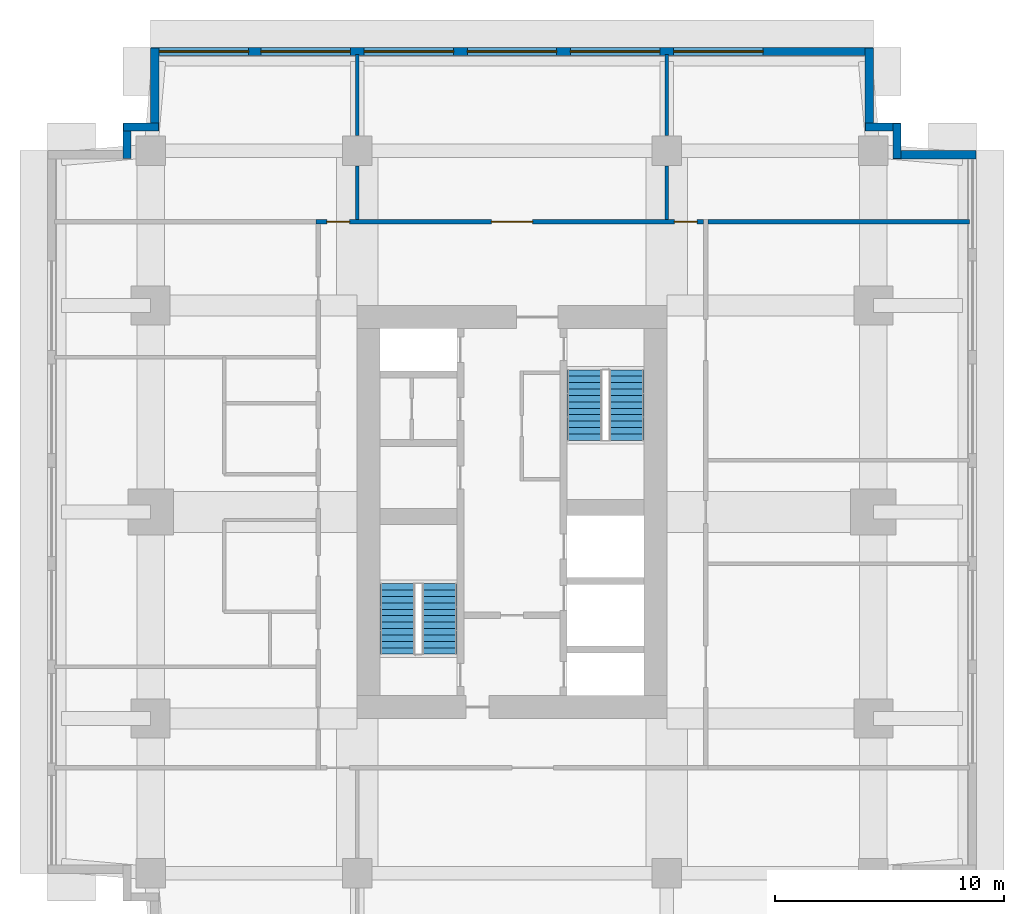
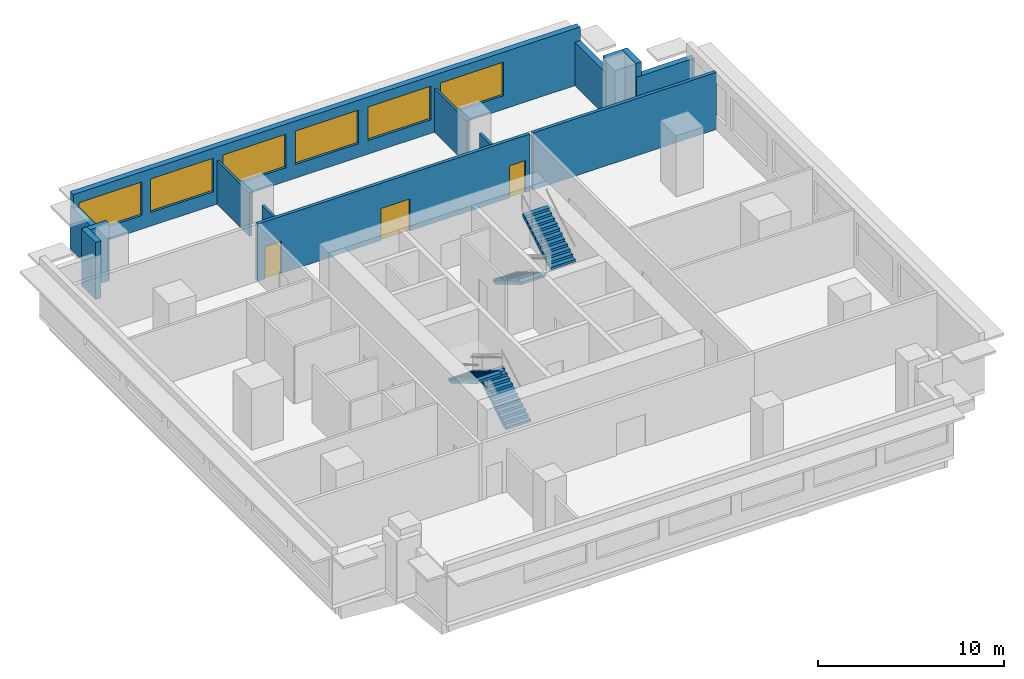
# One storey, part 4 of 5: 14 walls, 6 windows, 4 stair flights, 3 doors, 9 openings, 2 elements without a shape of their own.
"""IFC4 building model written with IfcOpenShell, lengths in metres."""

from ifc_helpers import new_model, si_unit, direction, frame, frame_2d, origin, place, context, subcontext, project, spatial, polyline, rectangle, outline, extrude, material, layer, layer_set, type_object, element, fill, aggregate, save


model = new_model("IFC4")

# Units and contexts
model_context = context("Model", 3, precision=1e-05, world=origin(), true_north=direction((0.0, 1.0)))
body_context = subcontext(model_context, "Body", "Model", "MODEL_VIEW")
ifc_project = project(units=[si_unit("LENGTHUNIT", "METRE"), si_unit("AREAUNIT", "SQUARE_METRE"), si_unit("VOLUMEUNIT", "CUBIC_METRE"), si_unit("PLANEANGLEUNIT", "RADIAN"), si_unit("MASSUNIT", "GRAM", prefix="KILO")], contexts=[model_context])

# Site, building, storey
site_placement = place(None, origin())
site = spatial("IfcSite", under=ifc_project, at=site_placement, CompositionType="ELEMENT")
building_placement = place(site_placement, origin())
building = spatial("IfcBuilding", under=site, at=building_placement, Name="Namib Vertical Campus", CompositionType="ELEMENT")
storey_placement = place(building_placement, frame((0.0, 0.0, 281.0)))
storey = spatial("IfcBuildingStorey", under=building, at=storey_placement, Name="L66", CompositionType="ELEMENT", Elevation=281.0)

# Wall, openings, doors
ifc_material_1 = material(Name="Concrete masonry", Category="masonry")
ifc_layer_1 = layer(ifc_material_1, 0.199951171875)
ifc_layer_set_1 = layer_set([ifc_layer_1], Name="Corridor wall 200")
wall_type_1 = type_object("IfcWallType", Name="Corridor wall 200", PredefinedType="SOLIDWALL", material=ifc_layer_set_1)
wall_1_placement = place(storey_placement, frame((28.60009765625, 32.89990234375, 0.0), z_axis=(0.0, 0.0, 1.0), x_axis=(-1.0, 0.0, 0.0)))
wall_1 = element("IfcWall", 1, at=wall_1_placement, inside=storey, type_object=wall_type_1, Name="Corridor wall A L66 CN", PredefinedType="SOLIDWALL", context=body_context, shape_type="SweptSolid", body=[
    extrude(rectangle(XDim=16.900146484375, YDim=0.199951171875, at=frame_2d((8.4501953125, 0.0))), origin(), (0.0, 0.0, 1.0), 3.75),
])
opening_1_placement = place(wall_1_placement, frame((15.425048828125, 0.0, 0.0)))
opening_1 = element("IfcOpeningElement", 2, at=opening_1_placement, cuts=wall_1, Name="Opening CD1", PredefinedType="OPENING", context=body_context, shape_type="SweptSolid", body=[
    extrude(rectangle(XDim=1.0, YDim=2.10009765625, at=frame_2d((0.5, 1.050048828125))), frame((0.0, 0.10986328125, 0.0), z_axis=(0.0, -1.0, 0.0), x_axis=(1.0, 0.0, 0.0)), (0.0, 0.0, 1.0), 0.219970703125),
])
opening_2_placement = place(wall_1_placement, frame((7.449951171875, 0.0, 0.0)))
opening_2 = element("IfcOpeningElement", 3, at=opening_2_placement, cuts=wall_1, Name="Opening CD2", PredefinedType="OPENING", context=body_context, shape_type="SweptSolid", body=[
    extrude(rectangle(XDim=1.800048828125, YDim=2.10009765625, at=frame_2d((0.89990234375, 1.050048828125))), frame((0.0, 0.10986328125, 0.0), z_axis=(0.0, -1.0, 0.0), x_axis=(1.0, 0.0, 0.0)), (0.0, 0.0, 1.0), 0.219970703125),
])
opening_3_placement = place(wall_1_placement, frame((0.27490234375, 0.0, 0.0)))
opening_3 = element("IfcOpeningElement", 4, at=opening_3_placement, cuts=wall_1, Name="Opening CD1", PredefinedType="OPENING", context=body_context, shape_type="SweptSolid", body=[
    extrude(rectangle(XDim=1.0, YDim=2.10009765625, at=frame_2d((0.5, 1.050048828125))), frame((0.0, 0.10986328125, 0.0), z_axis=(0.0, -1.0, 0.0), x_axis=(1.0, 0.0, 0.0)), (0.0, 0.0, 1.0), 0.219970703125),
])
ifc_material_2 = material(Name="Timber fire door leaf", Category="wood")
door_type_1 = type_object("IfcDoorType", Name="Corridor door 1000x2100 20 min", OperationType="SINGLE_SWING_LEFT", PredefinedType="DOOR", material=ifc_material_2)
door_1_placement = place(opening_1_placement, frame((1.0, 0.0, 0.0), z_axis=(0.0, 0.0, 1.0), x_axis=(-1.0, 0.0, 0.0)))
door_1 = element("IfcDoor", 5, at=door_1_placement, inside=storey, type_object=door_type_1, Name="Door CD1 A66-06", OperationType="SINGLE_SWING_RIGHT", OverallHeight=2.10009765625, OverallWidth=1.0, PredefinedType="DOOR", context=body_context, shape_type="SweptSolid", body=[
    extrude(rectangle(XDim=1.0, YDim=2.10009765625, at=frame_2d((0.5, 1.050048828125))), frame((0.0, 0.02490234375, 0.0), z_axis=(0.0, -1.0, 0.0), x_axis=(1.0, 0.0, 0.0)), (0.0, 0.0, 1.0), 0.050048828125),
])
fill(opening_1, door_1)
door_2_placement = place(opening_3_placement, frame((1.0, 0.0, 0.0), z_axis=(0.0, 0.0, 1.0), x_axis=(-1.0, 0.0, 0.0)))
door_2 = element("IfcDoor", 6, at=door_2_placement, inside=storey, type_object=door_type_1, Name="Door CD1 A66-08", OperationType="SINGLE_SWING_LEFT", OverallHeight=2.10009765625, OverallWidth=1.0, PredefinedType="DOOR", context=body_context, shape_type="SweptSolid", body=[
    extrude(rectangle(XDim=1.0, YDim=2.10009765625, at=frame_2d((0.5, 1.050048828125))), frame((0.0, 0.02490234375, 0.0), z_axis=(0.0, -1.0, 0.0), x_axis=(1.0, 0.0, 0.0)), (0.0, 0.0, 1.0), 0.050048828125),
])
fill(opening_3, door_2)
ifc_material_3 = material(Name="Timber fire door leaf", Category="wood")
door_type_2 = type_object("IfcDoorType", Name="Corridor door double 1800x2100 20 min", OperationType="DOUBLE_DOOR_SINGLE_SWING", PredefinedType="DOOR", material=ifc_material_3)
door_3_placement = place(opening_2_placement, frame((1.800048828125, 0.0, 0.0), z_axis=(0.0, 0.0, 1.0), x_axis=(-1.0, 0.0, 0.0)))
door_3 = element("IfcDoor", 7, at=door_3_placement, inside=storey, type_object=door_type_2, Name="Door CD2 A66-07", OperationType="DOUBLE_DOOR_SINGLE_SWING", OverallHeight=2.10009765625, OverallWidth=1.800048828125, PredefinedType="DOOR", context=body_context, shape_type="SweptSolid", body=[
    extrude(rectangle(XDim=1.800048828125, YDim=2.10009765625, at=frame_2d((0.89990234375, 1.050048828125))), frame((0.0, 0.02490234375, 0.0), z_axis=(0.0, -1.0, 0.0), x_axis=(1.0, 0.0, 0.0)), (0.0, 0.0, 1.0), 0.050048828125),
])
fill(opening_2, door_3)

# Walls
wall_2_placement = place(storey_placement, frame((28.800048828125, 32.89990234375, 0.0), z_axis=(0.0, 0.0, 1.0), x_axis=(1.0, 0.0, 0.0)))
element("IfcWall", 8, at=wall_2_placement, inside=storey, type_object=wall_type_1, Name="Partition A L66 BNE", PredefinedType="SOLIDWALL", context=body_context, shape_type="SweptSolid", body=[
    extrude(rectangle(XDim=11.39990234375, YDim=0.199951171875, at=frame_2d((5.699951171875, 0.0))), origin(), (0.0, 0.0, 1.0), 3.75),
])
ifc_material_4 = material(Name="Concrete C40/50", Category="concrete")
ifc_layer_2 = layer(ifc_material_4, 0.35009765625)
ifc_layer_set_2 = layer_set([ifc_layer_2], Name="Concrete C40/50")
wall_type_2 = type_object("IfcWallType", Name="External wall 350 bush-hammered concrete", PredefinedType="STANDARD", material=ifc_layer_set_2)
wall_3_placement = place(storey_placement, frame((40.47998046875, 35.824951171875, 0.0), z_axis=(0.0, 0.0, 1.0), x_axis=(-1.0, 0.0, 0.0)))
element("IfcWall", 9, at=wall_3_placement, inside=storey, type_object=wall_type_2, Name="External wall L66 F07", PredefinedType="STANDARD", context=body_context, shape_type="SweptSolid", body=[
    extrude(rectangle(XDim=3.60986328125, YDim=0.35009765625, at=frame_2d((1.804931640625, 0.0))), origin(), (0.0, 0.0, 1.0), 2.85009765625),
])
for number, where, z_axis, x_axis, name in (
    (10, (37.02490234375, 35.669921875, 0.0), (0.0, 0.0, 1.0), (0.0, 1.0, 0.0), "External wall L66 F08"),
    (11, (37.179931640625, 37.02490234375, 0.0), (0.0, 0.0, 1.0), (-1.0, 0.0, 0.0), "External wall L66 F09"),
):
    element("IfcWall", number, at=place(storey_placement, frame(where, z_axis=z_axis, x_axis=x_axis)), inside=storey, type_object=wall_type_2, Name=name, PredefinedType="STANDARD", context=body_context, shape_type="SweptSolid", body=[
        extrude(rectangle(XDim=1.510009765625, YDim=0.35009765625, at=frame_2d((0.7548828125, 0.0))), origin(), (0.0, 0.0, 1.0), 3.75),
    ])
wall_4_placement = place(storey_placement, frame((35.824951171875, 36.8701171875, 0.0), z_axis=(0.0, 0.0, 1.0), x_axis=(0.0, 1.0, 0.0)))
element("IfcWall", 12, at=wall_4_placement, inside=storey, type_object=wall_type_2, Name="External wall L66 F10", PredefinedType="STANDARD", context=body_context, shape_type="SweptSolid", body=[
    extrude(rectangle(XDim=3.60986328125, YDim=0.35009765625, at=frame_2d((1.804931640625, 0.0))), origin(), (0.0, 0.0, 1.0), 2.85009765625),
])

# Wall, openings, windows
wall_5_placement = place(storey_placement, frame((35.97998046875, 40.324951171875, 0.0), z_axis=(0.0, 0.0, 1.0), x_axis=(-1.0, 0.0, 0.0)))
wall_5 = element("IfcWall", 13, at=wall_5_placement, inside=storey, type_object=wall_type_2, Name="External wall L66 F11", PredefinedType="STANDARD", context=body_context, shape_type="SweptSolid", body=[
    extrude(rectangle(XDim=31.4599609375, YDim=0.35009765625, at=frame_2d((15.72998046875, 0.0))), origin(), (0.0, 0.0, 1.0), 3.75),
])
opening_4_placement = place(wall_5_placement, frame((27.2099609375, 0.0, 0.89990234375)))
opening_4 = element("IfcOpeningElement", 14, at=opening_4_placement, cuts=wall_5, Name="Opening W1", PredefinedType="OPENING", context=body_context, shape_type="SweptSolid", body=[
    extrude(rectangle(XDim=3.89990234375, YDim=2.199951171875, at=frame_2d((1.949951171875, 1.10009765625))), frame((0.0, 0.18505859375, 0.0), z_axis=(0.0, -1.0, 0.0), x_axis=(1.0, 0.0, 0.0)), (0.0, 0.0, 1.0), 0.3701171875),
])
opening_5_placement = place(wall_5_placement, frame((22.780029296875, 0.0, 0.89990234375)))
opening_5 = element("IfcOpeningElement", 15, at=opening_5_placement, cuts=wall_5, Name="Opening W1", PredefinedType="OPENING", context=body_context, shape_type="SweptSolid", body=[
    extrude(rectangle(XDim=3.89990234375, YDim=2.199951171875, at=frame_2d((1.949951171875, 1.10009765625))), frame((0.0, 0.18505859375, 0.0), z_axis=(0.0, -1.0, 0.0), x_axis=(1.0, 0.0, 0.0)), (0.0, 0.0, 1.0), 0.3701171875),
])
opening_6_placement = place(wall_5_placement, frame((18.280029296875, 0.0, 0.89990234375)))
opening_6 = element("IfcOpeningElement", 16, at=opening_6_placement, cuts=wall_5, Name="Opening W1", PredefinedType="OPENING", context=body_context, shape_type="SweptSolid", body=[
    extrude(rectangle(XDim=3.89990234375, YDim=2.199951171875, at=frame_2d((1.949951171875, 1.10009765625))), frame((0.0, 0.18505859375, 0.0), z_axis=(0.0, -1.0, 0.0), x_axis=(1.0, 0.0, 0.0)), (0.0, 0.0, 1.0), 0.3701171875),
])
opening_7_placement = place(wall_5_placement, frame((13.780029296875, 0.0, 0.89990234375)))
opening_7 = element("IfcOpeningElement", 17, at=opening_7_placement, cuts=wall_5, Name="Opening W1", PredefinedType="OPENING", context=body_context, shape_type="SweptSolid", body=[
    extrude(rectangle(XDim=3.89990234375, YDim=2.199951171875, at=frame_2d((1.949951171875, 1.10009765625))), frame((0.0, 0.18505859375, 0.0), z_axis=(0.0, -1.0, 0.0), x_axis=(1.0, 0.0, 0.0)), (0.0, 0.0, 1.0), 0.3701171875),
])
opening_8_placement = place(wall_5_placement, frame((9.280029296875, 0.0, 0.89990234375)))
opening_8 = element("IfcOpeningElement", 18, at=opening_8_placement, cuts=wall_5, Name="Opening W1", PredefinedType="OPENING", context=body_context, shape_type="SweptSolid", body=[
    extrude(rectangle(XDim=3.89990234375, YDim=2.199951171875, at=frame_2d((1.949951171875, 1.10009765625))), frame((0.0, 0.18505859375, 0.0), z_axis=(0.0, -1.0, 0.0), x_axis=(1.0, 0.0, 0.0)), (0.0, 0.0, 1.0), 0.3701171875),
])
opening_9_placement = place(wall_5_placement, frame((4.780029296875, 0.0, 0.89990234375)))
opening_9 = element("IfcOpeningElement", 19, at=opening_9_placement, cuts=wall_5, Name="Opening W1", PredefinedType="OPENING", context=body_context, shape_type="SweptSolid", body=[
    extrude(rectangle(XDim=3.89990234375, YDim=2.199951171875, at=frame_2d((1.949951171875, 1.10009765625))), frame((0.0, 0.18505859375, 0.0), z_axis=(0.0, -1.0, 0.0), x_axis=(1.0, 0.0, 0.0)), (0.0, 0.0, 1.0), 0.3701171875),
])
ifc_material_5 = material(Name="Dark tinted glass in black aluminium frame", Category="aluminium")
window_type = type_object("IfcWindowType", Name="Ribbon window 3900x2200", PartitioningType="SINGLE_PANEL", PredefinedType="WINDOW", material=ifc_material_5)
window_1_placement = place(opening_4_placement, origin())
window_1 = element("IfcWindow", 20, at=window_1_placement, inside=storey, type_object=window_type, Name="Window W1 L66 F11-1", OverallHeight=2.199951171875, OverallWidth=3.89990234375, PartitioningType="SINGLE_PANEL", PredefinedType="WINDOW", context=body_context, shape_type="SweptSolid", body=[
    extrude(rectangle(XDim=3.89990234375, YDim=2.199951171875, at=frame_2d((1.949951171875, 1.10009765625))), frame((0.0, 0.030029296875, 0.0), z_axis=(0.0, -1.0, 0.0), x_axis=(1.0, 0.0, 0.0)), (0.0, 0.0, 1.0), 0.06005859375),
])
fill(opening_4, window_1)
window_2_placement = place(opening_5_placement, origin())
window_2 = element("IfcWindow", 21, at=window_2_placement, inside=storey, type_object=window_type, Name="Window W1 L66 F11-2", OverallHeight=2.199951171875, OverallWidth=3.89990234375, PartitioningType="SINGLE_PANEL", PredefinedType="WINDOW", context=body_context, shape_type="SweptSolid", body=[
    extrude(rectangle(XDim=3.89990234375, YDim=2.199951171875, at=frame_2d((1.949951171875, 1.10009765625))), frame((0.0, 0.030029296875, 0.0), z_axis=(0.0, -1.0, 0.0), x_axis=(1.0, 0.0, 0.0)), (0.0, 0.0, 1.0), 0.06005859375),
])
fill(opening_5, window_2)
window_3_placement = place(opening_6_placement, origin())
window_3 = element("IfcWindow", 22, at=window_3_placement, inside=storey, type_object=window_type, Name="Window W1 L66 F11-3", OverallHeight=2.199951171875, OverallWidth=3.89990234375, PartitioningType="SINGLE_PANEL", PredefinedType="WINDOW", context=body_context, shape_type="SweptSolid", body=[
    extrude(rectangle(XDim=3.89990234375, YDim=2.199951171875, at=frame_2d((1.949951171875, 1.10009765625))), frame((0.0, 0.030029296875, 0.0), z_axis=(0.0, -1.0, 0.0), x_axis=(1.0, 0.0, 0.0)), (0.0, 0.0, 1.0), 0.06005859375),
])
fill(opening_6, window_3)
window_4_placement = place(opening_7_placement, origin())
window_4 = element("IfcWindow", 23, at=window_4_placement, inside=storey, type_object=window_type, Name="Window W1 L66 F11-4", OverallHeight=2.199951171875, OverallWidth=3.89990234375, PartitioningType="SINGLE_PANEL", PredefinedType="WINDOW", context=body_context, shape_type="SweptSolid", body=[
    extrude(rectangle(XDim=3.89990234375, YDim=2.199951171875, at=frame_2d((1.949951171875, 1.10009765625))), frame((0.0, 0.030029296875, 0.0), z_axis=(0.0, -1.0, 0.0), x_axis=(1.0, 0.0, 0.0)), (0.0, 0.0, 1.0), 0.06005859375),
])
fill(opening_7, window_4)
window_5_placement = place(opening_8_placement, origin())
window_5 = element("IfcWindow", 24, at=window_5_placement, inside=storey, type_object=window_type, Name="Window W1 L66 F11-5", OverallHeight=2.199951171875, OverallWidth=3.89990234375, PartitioningType="SINGLE_PANEL", PredefinedType="WINDOW", context=body_context, shape_type="SweptSolid", body=[
    extrude(rectangle(XDim=3.89990234375, YDim=2.199951171875, at=frame_2d((1.949951171875, 1.10009765625))), frame((0.0, 0.030029296875, 0.0), z_axis=(0.0, -1.0, 0.0), x_axis=(1.0, 0.0, 0.0)), (0.0, 0.0, 1.0), 0.06005859375),
])
fill(opening_8, window_5)
window_6_placement = place(opening_9_placement, origin())
window_6 = element("IfcWindow", 25, at=window_6_placement, inside=storey, type_object=window_type, Name="Window W1 L66 F11-6", OverallHeight=2.199951171875, OverallWidth=3.89990234375, PartitioningType="SINGLE_PANEL", PredefinedType="WINDOW", context=body_context, shape_type="SweptSolid", body=[
    extrude(rectangle(XDim=3.89990234375, YDim=2.199951171875, at=frame_2d((1.949951171875, 1.10009765625))), frame((0.0, 0.030029296875, 0.0), z_axis=(0.0, -1.0, 0.0), x_axis=(1.0, 0.0, 0.0)), (0.0, 0.0, 1.0), 0.06005859375),
])
fill(opening_9, window_6)

# Walls
wall_6_placement = place(storey_placement, frame((4.675048828125, 40.47998046875, 0.0), z_axis=(0.0, 0.0, 1.0), x_axis=(0.0, -1.0, 0.0)))
element("IfcWall", 26, at=wall_6_placement, inside=storey, type_object=wall_type_2, Name="External wall L66 F12", PredefinedType="STANDARD", context=body_context, shape_type="SweptSolid", body=[
    extrude(rectangle(XDim=3.60986328125, YDim=0.35009765625, at=frame_2d((1.804931640625, 0.0))), origin(), (0.0, 0.0, 1.0), 2.85009765625),
])
for number, where, z_axis, x_axis, name in (
    (27, (4.830078125, 37.02490234375, 0.0), (0.0, 0.0, 1.0), (-1.0, 0.0, 0.0), "External wall L66 F13"),
    (28, (3.47509765625, 37.179931640625, 0.0), (0.0, 0.0, 1.0), (0.0, -1.0, 0.0), "External wall L66 F14"),
):
    element("IfcWall", number, at=place(storey_placement, frame(where, z_axis=z_axis, x_axis=x_axis)), inside=storey, type_object=wall_type_2, Name=name, PredefinedType="STANDARD", context=body_context, shape_type="SweptSolid", body=[
        extrude(rectangle(XDim=1.510009765625, YDim=0.35009765625, at=frame_2d((0.7548828125, 0.0))), origin(), (0.0, 0.0, 1.0), 3.75),
    ])
ifc_material_6 = material(Name="Gypsum board on steel studs", Category="steel")
ifc_layer_3 = layer(ifc_material_6, 0.14990234375)
ifc_layer_set_3 = layer_set([ifc_layer_3], Name="Gypsum board on steel studs")
wall_type_3 = type_object("IfcWallType", Name="Partition 150", PredefinedType="PARTITIONING", material=ifc_layer_set_3)
wall_7_placement = place(storey_placement, frame((13.5, 33.0, 0.0), z_axis=(0.0, 0.0, 1.0), x_axis=(0.0, 1.0, 0.0)))
element("IfcWall", 29, at=wall_7_placement, inside=storey, type_object=wall_type_3, Name="Partition A L66 PN1", PredefinedType="PARTITIONING", context=body_context, shape_type="SweptSolid", body=[
    extrude(rectangle(XDim=2.330078125, YDim=0.14990234375, at=frame_2d((1.1650390625, 0.0))), origin(), (0.0, 0.0, 1.0), 2.85009765625),
])
wall_8_placement = place(storey_placement, frame((13.5, 36.669921875, 0.0), z_axis=(0.0, 0.0, 1.0), x_axis=(0.0, 1.0, 0.0)))
element("IfcWall", 30, at=wall_8_placement, inside=storey, type_object=wall_type_3, Name="Partition A L66 PN1", PredefinedType="PARTITIONING", context=body_context, shape_type="SweptSolid", body=[
    extrude(rectangle(XDim=3.530029296875, YDim=0.14990234375, at=frame_2d((1.76513671875, 0.0))), origin(), (0.0, 0.0, 1.0), 2.85009765625),
])
wall_9_placement = place(storey_placement, frame((27.0, 33.0, 0.0), z_axis=(0.0, 0.0, 1.0), x_axis=(0.0, 1.0, 0.0)))
element("IfcWall", 31, at=wall_9_placement, inside=storey, type_object=wall_type_3, Name="Partition A L66 PN2", PredefinedType="PARTITIONING", context=body_context, shape_type="SweptSolid", body=[
    extrude(rectangle(XDim=2.330078125, YDim=0.14990234375, at=frame_2d((1.1650390625, 0.0))), origin(), (0.0, 0.0, 1.0), 2.85009765625),
])
wall_10_placement = place(storey_placement, frame((27.0, 36.669921875, 0.0), z_axis=(0.0, 0.0, 1.0), x_axis=(0.0, 1.0, 0.0)))
element("IfcWall", 32, at=wall_10_placement, inside=storey, type_object=wall_type_3, Name="Partition A L66 PN2", PredefinedType="PARTITIONING", context=body_context, shape_type="SweptSolid", body=[
    extrude(rectangle(XDim=3.530029296875, YDim=0.14990234375, at=frame_2d((1.76513671875, 0.0))), origin(), (0.0, 0.0, 1.0), 2.85009765625),
])

# Stair, stair flights
ifc_material_7 = material(Name="Concrete C40/50 precast", Category="concrete")
stair_type = type_object("IfcStairType", Name="Exit stair 4000 rise 24 risers 3350 wide", PredefinedType="HALF_TURN_STAIR", material=ifc_material_7)
stair_1_placement = place(storey_placement, origin())
stair_1 = element("IfcStair", 33, at=stair_1_placement, inside=storey, type_object=stair_type, Name="Exit stair A-S1 L66", PredefinedType="HALF_TURN_STAIR")
ifc_material_8 = material(Name="Concrete C40/50 precast", Category="concrete")
stair_flight_type = type_object("IfcStairFlightType", Name="Stair flight 12 risers 167 1525 wide", PredefinedType="STRAIGHT", material=ifc_material_8)
stair_flight_1_placement = place(storey_placement, frame((17.08740234375, 14.050048828125, 0.0), z_axis=(0.0, 0.0, 1.0), x_axis=(0.0, 1.0, 0.0)))
stair_flight_1 = element("IfcStairFlight", 34, at=stair_flight_1_placement, type_object=stair_flight_type, Name="A-S1 flight 1", NumberOfRisers=12, NumberOfTreads=11, PredefinedType="STRAIGHT", RiserHeight=0.166666667, TreadLength=0.28, context=body_context, shape_type="SweptSolid", body=[
    extrude(outline(polyline([(0.0, 0.0), (0.0, 0.166748046875), (0.280029296875, 0.166748046875), (0.280029296875, 0.333251953125), (0.56005859375, 0.333251953125), (0.56005859375, 0.5), (0.840087890625, 0.5), (0.840087890625, 0.666748046875), (1.1201171875, 0.666748046875), (1.1201171875, 0.833251953125), (1.39990234375, 0.833251953125), (1.39990234375, 1.0), (1.679931640625, 1.0), (1.679931640625, 1.166748046875), (1.9599609375, 1.166748046875), (1.9599609375, 1.333251953125), (2.239990234375, 1.333251953125), (2.239990234375, 1.5), (2.52001953125, 1.5), (2.52001953125, 1.666748046875), (2.800048828125, 1.666748046875), (2.800048828125, 1.833251953125), (3.080078125, 1.833251953125), (3.080078125, 2.0), (3.080078125, 1.658935546875), (0.29296875, 0.0), (0.0, 0.0)])), frame((0.0, 0.762451171875, 0.0), z_axis=(0.0, -1.0, 0.0), x_axis=(1.0, 0.0, 0.0)), (0.0, 0.0, 1.0), 1.52490234375),
])
stair_flight_2_placement = place(storey_placement, frame((15.262451171875, 17.1298828125, 2.0), z_axis=(0.0, 0.0, 1.0), x_axis=(0.0, -1.0, 0.0)))
stair_flight_2 = element("IfcStairFlight", 35, at=stair_flight_2_placement, type_object=stair_flight_type, Name="A-S1 flight 2", NumberOfRisers=12, NumberOfTreads=11, PredefinedType="STRAIGHT", RiserHeight=0.166666667, TreadLength=0.28, context=body_context, shape_type="SweptSolid", body=[
    extrude(outline(polyline([(0.0, 0.0), (0.0, 0.166748046875), (0.280029296875, 0.166748046875), (0.280029296875, 0.333251953125), (0.56005859375, 0.333251953125), (0.56005859375, 0.5), (0.840087890625, 0.5), (0.840087890625, 0.666748046875), (1.1201171875, 0.666748046875), (1.1201171875, 0.833251953125), (1.39990234375, 0.833251953125), (1.39990234375, 1.0), (1.679931640625, 1.0), (1.679931640625, 1.166748046875), (1.9599609375, 1.166748046875), (1.9599609375, 1.333251953125), (2.239990234375, 1.333251953125), (2.239990234375, 1.5), (2.52001953125, 1.5), (2.52001953125, 1.666748046875), (2.800048828125, 1.666748046875), (2.800048828125, 1.833251953125), (3.080078125, 1.833251953125), (3.080078125, 2.0), (3.080078125, 1.658935546875), (0.29296875, 0.0), (0.0, 0.0)])), frame((0.0, 0.762451171875, 0.0), z_axis=(0.0, -1.0, 0.0), x_axis=(1.0, 0.0, 0.0)), (0.0, 0.0, 1.0), 1.52490234375),
])
aggregate(stair_1, [stair_flight_1, stair_flight_2])

stair_2_placement = place(storey_placement, origin())
stair_2 = element("IfcStair", 36, at=stair_2_placement, inside=storey, type_object=stair_type, Name="Exit stair A-S2 L66", PredefinedType="HALF_TURN_STAIR")
stair_flight_3_placement = place(storey_placement, frame((23.41259765625, 26.449951171875, 0.0), z_axis=(0.0, 0.0, 1.0), x_axis=(0.0, -1.0, 0.0)))
stair_flight_3 = element("IfcStairFlight", 37, at=stair_flight_3_placement, type_object=stair_flight_type, Name="A-S2 flight 1", NumberOfRisers=12, NumberOfTreads=11, PredefinedType="STRAIGHT", RiserHeight=0.166666667, TreadLength=0.28, context=body_context, shape_type="SweptSolid", body=[
    extrude(outline(polyline([(0.0, 0.0), (0.0, 0.166748046875), (0.280029296875, 0.166748046875), (0.280029296875, 0.333251953125), (0.56005859375, 0.333251953125), (0.56005859375, 0.5), (0.840087890625, 0.5), (0.840087890625, 0.666748046875), (1.1201171875, 0.666748046875), (1.1201171875, 0.833251953125), (1.39990234375, 0.833251953125), (1.39990234375, 1.0), (1.679931640625, 1.0), (1.679931640625, 1.166748046875), (1.9599609375, 1.166748046875), (1.9599609375, 1.333251953125), (2.239990234375, 1.333251953125), (2.239990234375, 1.5), (2.52001953125, 1.5), (2.52001953125, 1.666748046875), (2.800048828125, 1.666748046875), (2.800048828125, 1.833251953125), (3.080078125, 1.833251953125), (3.080078125, 2.0), (3.080078125, 1.658935546875), (0.29296875, 0.0), (0.0, 0.0)])), frame((0.0, 0.762451171875, 0.0), z_axis=(0.0, -1.0, 0.0), x_axis=(1.0, 0.0, 0.0)), (0.0, 0.0, 1.0), 1.52490234375),
])
stair_flight_4_placement = place(storey_placement, frame((25.237548828125, 23.3701171875, 2.0), z_axis=(0.0, 0.0, 1.0), x_axis=(0.0, 1.0, 0.0)))
stair_flight_4 = element("IfcStairFlight", 38, at=stair_flight_4_placement, type_object=stair_flight_type, Name="A-S2 flight 2", NumberOfRisers=12, NumberOfTreads=11, PredefinedType="STRAIGHT", RiserHeight=0.166666667, TreadLength=0.28, context=body_context, shape_type="SweptSolid", body=[
    extrude(outline(polyline([(0.0, 0.0), (0.0, 0.166748046875), (0.280029296875, 0.166748046875), (0.280029296875, 0.333251953125), (0.56005859375, 0.333251953125), (0.56005859375, 0.5), (0.840087890625, 0.5), (0.840087890625, 0.666748046875), (1.1201171875, 0.666748046875), (1.1201171875, 0.833251953125), (1.39990234375, 0.833251953125), (1.39990234375, 1.0), (1.679931640625, 1.0), (1.679931640625, 1.166748046875), (1.9599609375, 1.166748046875), (1.9599609375, 1.333251953125), (2.239990234375, 1.333251953125), (2.239990234375, 1.5), (2.52001953125, 1.5), (2.52001953125, 1.666748046875), (2.800048828125, 1.666748046875), (2.800048828125, 1.833251953125), (3.080078125, 1.833251953125), (3.080078125, 2.0), (3.080078125, 1.658935546875), (0.29296875, 0.0), (0.0, 0.0)])), frame((0.0, 0.762451171875, 0.0), z_axis=(0.0, -1.0, 0.0), x_axis=(1.0, 0.0, 0.0)), (0.0, 0.0, 1.0), 1.52490234375),
])
aggregate(stair_2, [stair_flight_3, stair_flight_4])

save(model, "model.ifc")
